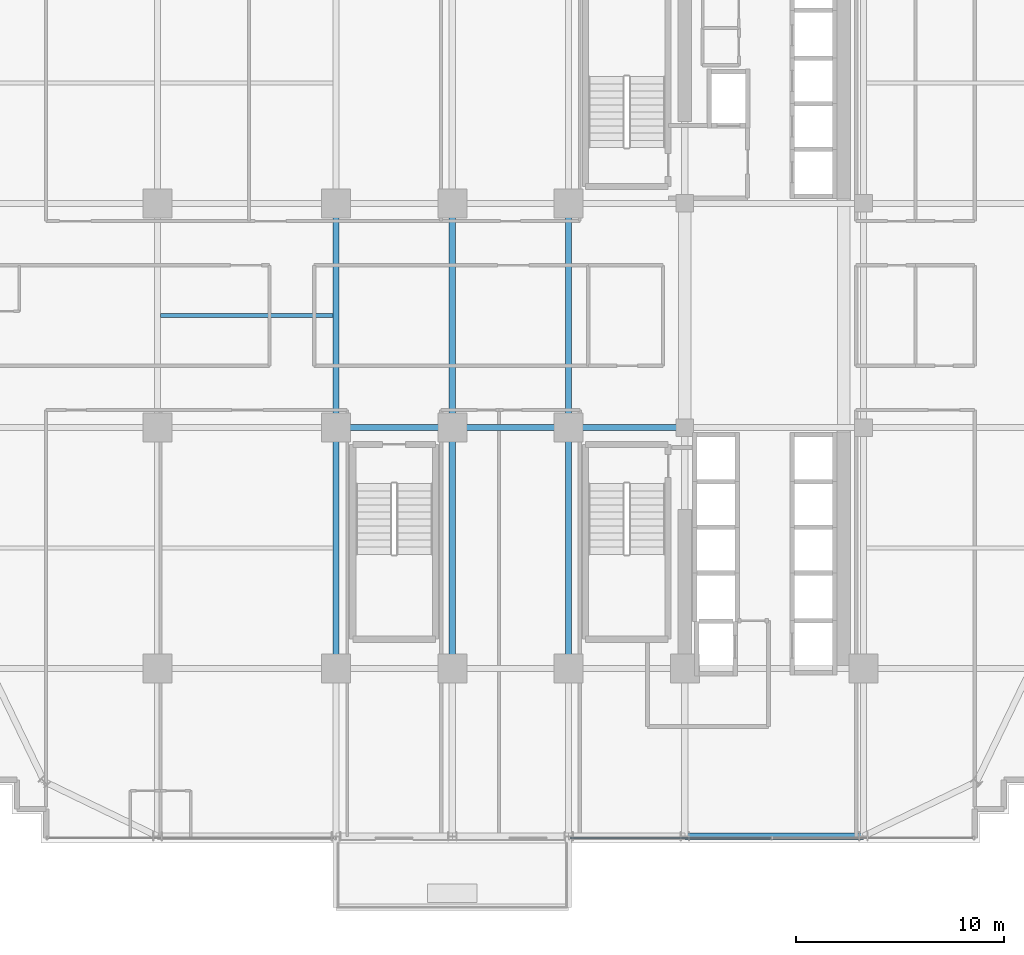
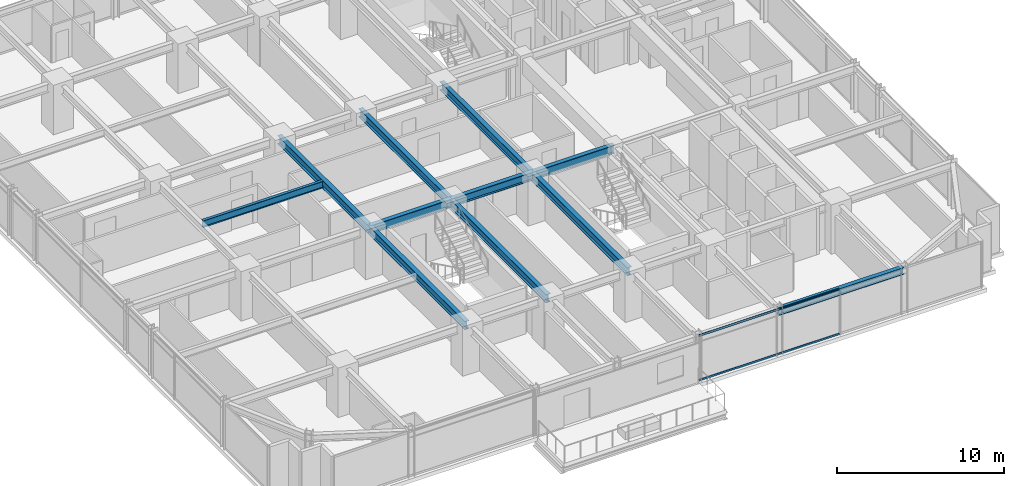
# One storey, part 10 of 36: 11 beams, 2 members, 1 element without a shape of its own.
"""IFC4 building model written with IfcOpenShell, lengths in metres."""

from ifc_helpers import new_model, si_unit, direction, frame, origin, origin_2d, place, context, subcontext, project, spatial, hollow_rectangle, i_section, extrude, source, transform, mapped, material, material_profile, profile_set, type_object, element, aggregate, save


model = new_model("IFC4")

# Units and contexts
model_context = context("Model", 3, precision=1e-05, world=origin(), true_north=direction((0.0, 1.0)))
body_context = subcontext(model_context, "Body", "Model", "MODEL_VIEW")
ifc_project = project(units=[si_unit("LENGTHUNIT", "METRE"), si_unit("AREAUNIT", "SQUARE_METRE"), si_unit("VOLUMEUNIT", "CUBIC_METRE"), si_unit("PLANEANGLEUNIT", "RADIAN"), si_unit("MASSUNIT", "GRAM", prefix="KILO")], contexts=[model_context])

# Site, building, storey
site_placement = place(None, origin())
site = spatial("IfcSite", under=ifc_project, at=site_placement, CompositionType="ELEMENT")
building_placement = place(site_placement, origin())
building = spatial("IfcBuilding", under=site, at=building_placement, Name="Nahalor Promenade Grand Hotel", CompositionType="ELEMENT")
storey_placement = place(building_placement, frame((0.0, 0.0, 72.550048828125)))
storey = spatial("IfcBuildingStorey", under=building, at=storey_placement, Name="L17", CompositionType="ELEMENT", Elevation=72.550048828125)

# Beams
ifc_material_1 = material(Name="Steel S355JR", Category="steel")
ifc_material_profile_1 = material_profile(ifc_material_1, i_section(OverallWidth=0.3, OverallDepth=0.6, WebThickness=0.0155, FlangeThickness=0.03, at=origin_2d()), Name="HEB 600")
ifc_profile_set_1 = profile_set([ifc_material_profile_1], Name="Steel S355JR")
beam_type_1 = type_object("IfcBeamType", Name="Beam-Girder-HEB600", PredefinedType="BEAM", material=ifc_profile_set_1)
shared_shape_1 = source(origin(), body_context, "Body", "SweptSolid", [
    extrude(i_section(OverallWidth=0.3, OverallDepth=0.6, WebThickness=0.0155, FlangeThickness=0.03, at=origin_2d()), origin(), (0.0, 0.0, 1.0), 5.599853515625),
])
for number, where, z_axis, x_axis, name in (
    (1, (-8.39990234375, -5.39990234375, 3.070068359375), (1.0, 0.0, 0.0), (0.0, 1.0, 0.0), "BM-L17-GX-1-2"),
    (2, (2.800048828125, -5.39990234375, 3.070068359375), (1.0, 0.0, 0.0), (0.0, 1.0, 0.0), "BM-L17-GX-1-4"),
):
    element("IfcBeam", number, at=place(storey_placement, frame(where, z_axis=z_axis, x_axis=x_axis)), inside=storey, type_object=beam_type_1, Name=name, PredefinedType="BEAM", context=body_context, shape_type="MappedRepresentation", body=[
        mapped(shared_shape_1, transform((0.0, 0.0, 0.0), scale=1.0)),
    ])
shared_shape_2 = source(origin(), body_context, "Body", "SweptSolid", [
    extrude(i_section(OverallWidth=0.3, OverallDepth=0.6, WebThickness=0.0155, FlangeThickness=0.03, at=origin_2d()), origin(), (0.0, 0.0, 1.0), 5.60009765625),
])
beam_1_placement = place(storey_placement, frame((-2.800048828125, -5.39990234375, 3.070068359375), z_axis=(1.0, 0.0, 0.0), x_axis=(0.0, 1.0, 0.0)))
element("IfcBeam", 3, at=beam_1_placement, inside=storey, type_object=beam_type_1, Name="BM-L17-GX-1-3", PredefinedType="BEAM", context=body_context, shape_type="MappedRepresentation", body=[
    mapped(shared_shape_2, transform((0.0, 0.0, 0.0), scale=1.0)),
])
shared_shape_3 = source(origin(), body_context, "Body", "SweptSolid", [
    extrude(i_section(OverallWidth=0.3, OverallDepth=0.6, WebThickness=0.0155, FlangeThickness=0.03, at=origin_2d()), origin(), (0.0, 0.0, 1.0), 11.60009765625),
])
for number, where, z_axis, x_axis, name in (
    (4, (-8.39990234375, -17.0, 3.070068359375), (0.0, 1.0, 0.0), (-1.0, 0.0, 0.0), "BM-L17-GY-1-1"),
    (5, (-2.800048828125, -17.0, 3.070068359375), (0.0, 1.0, 0.0), (-1.0, 0.0, 0.0), "BM-L17-GY-2-1"),
    (6, (2.800048828125, -17.0, 3.070068359375), (0.0, 1.0, 0.0), (-1.0, 0.0, 0.0), "BM-L17-GY-3-1"),
):
    element("IfcBeam", number, at=place(storey_placement, frame(where, z_axis=z_axis, x_axis=x_axis)), inside=storey, type_object=beam_type_1, Name=name, PredefinedType="BEAM", context=body_context, shape_type="MappedRepresentation", body=[
        mapped(shared_shape_3, transform((0.0, 0.0, 0.0), scale=1.0)),
    ])
shared_shape_4 = source(origin(), body_context, "Body", "SweptSolid", [
    extrude(i_section(OverallWidth=0.3, OverallDepth=0.6, WebThickness=0.0155, FlangeThickness=0.03, at=origin_2d()), origin(), (0.0, 0.0, 1.0), 10.7998046875),
])
for number, where, z_axis, x_axis, name in (
    (7, (-8.39990234375, -5.39990234375, 3.070068359375), (0.0, 1.0, 0.0), (-1.0, 0.0, 0.0), "BM-L17-GY-1-2"),
    (8, (-2.800048828125, -5.39990234375, 3.070068359375), (0.0, 1.0, 0.0), (-1.0, 0.0, 0.0), "BM-L17-GY-2-2"),
    (9, (2.800048828125, -5.39990234375, 3.070068359375), (0.0, 1.0, 0.0), (-1.0, 0.0, 0.0), "BM-L17-GY-3-2"),
):
    element("IfcBeam", number, at=place(storey_placement, frame(where, z_axis=z_axis, x_axis=x_axis)), inside=storey, type_object=beam_type_1, Name=name, PredefinedType="BEAM", context=body_context, shape_type="MappedRepresentation", body=[
        mapped(shared_shape_4, transform((0.0, 0.0, 0.0), scale=1.0)),
    ])
ifc_material_profile_2 = material_profile(ifc_material_1, i_section(OverallWidth=0.3, OverallDepth=0.5, WebThickness=0.0145, FlangeThickness=0.028, at=origin_2d()), Name="HEB 500")
ifc_profile_set_2 = profile_set([ifc_material_profile_2], Name="Steel S355JR")
beam_type_2 = type_object("IfcBeamType", Name="Beam-Spandrel-HEB500", PredefinedType="SPANDREL", material=ifc_profile_set_2)
shared_shape_5 = source(origin(), body_context, "Body", "SweptSolid", [
    extrude(i_section(OverallWidth=0.3, OverallDepth=0.5, WebThickness=0.0145, FlangeThickness=0.028, at=origin_2d()), origin(), (0.0, 0.0, 1.0), 8.60009765625),
])
beam_2_placement = place(storey_placement, frame((8.39990234375, -25.080078125, 3.119873046875), z_axis=(1.0, 0.0, 0.0), x_axis=(0.0, 1.0, 0.0)))
element("IfcBeam", 10, at=beam_2_placement, inside=storey, type_object=beam_type_2, Name="BM-L17-SP-S-4", PredefinedType="SPANDREL", context=body_context, shape_type="MappedRepresentation", body=[
    mapped(shared_shape_5, transform((0.0, 0.0, 0.0), scale=1.0)),
])
ifc_material_profile_3 = material_profile(ifc_material_1, i_section(OverallWidth=0.2, OverallDepth=0.5, WebThickness=0.0102, FlangeThickness=0.016, at=origin_2d()), Name="IPE 500")
ifc_profile_set_3 = profile_set([ifc_material_profile_3], Name="Steel S355JR")
beam_type_3 = type_object("IfcBeamType", Name="Beam-Joist-IPE500", PredefinedType="JOIST", material=ifc_profile_set_3)
shared_shape_6 = source(origin(), body_context, "Body", "SweptSolid", [
    extrude(i_section(OverallWidth=0.2, OverallDepth=0.5, WebThickness=0.0102, FlangeThickness=0.016, at=origin_2d()), origin(), (0.0, 0.0, 1.0), 8.300048828125),
])
beam_3_placement = place(storey_placement, frame((-16.85009765625, 0.0, 3.119873046875), z_axis=(1.0, 0.0, 0.0), x_axis=(0.0, 1.0, 0.0)))
element("IfcBeam", 11, at=beam_3_placement, inside=storey, type_object=beam_type_3, Name="BM-L17-JSC-0", PredefinedType="JOIST", context=body_context, shape_type="MappedRepresentation", body=[
    mapped(shared_shape_6, transform((0.0, 0.0, 0.0), scale=1.0)),
])

# Curtain wall, members
ifc_material_2 = material(Name="Anodised Bronze Aluminium EN AW-6063 T6", Category="aluminium")
curtain_wall_type = type_object("IfcCurtainWallType", Name="CW2 Typical Hotel Flush Bronze Unitised Curtain Wall", PredefinedType="USERDEFINED", material=ifc_material_2)
curtain_wall_placement = place(storey_placement, origin())
curtain_wall = element("IfcCurtainWall", 12, at=curtain_wall_placement, inside=storey, type_object=curtain_wall_type, Name="L17 Curtain Wall CW-L17-S-3", ObjectType="UNITISED_CURTAIN_WALL", PredefinedType="USERDEFINED")
ifc_material_profile_4 = material_profile(ifc_material_2, hollow_rectangle(XDim=0.065, YDim=0.13, WallThickness=0.004, at=origin_2d()), Name="CWT 65x130x4")
ifc_profile_set_4 = profile_set([ifc_material_profile_4], Name="Anodised Bronze Aluminium EN AW-6063 T6")
member_type = type_object("IfcMemberType", Name="CWT2 Typical Bronze Transom 65x130", PredefinedType="USERDEFINED", material=ifc_profile_set_4)
shared_shape_7 = source(origin(), body_context, "Body", "SweptSolid", [
    extrude(hollow_rectangle(XDim=0.065, YDim=0.13, WallThickness=0.004, at=origin_2d()), origin(), (0.0, 0.0, 1.0), 9.6826171875),
])
member_1_placement = place(storey_placement, frame((2.864990234375, -25.159912109375, 0.06494140625), z_axis=(1.0, 0.0, 0.0), x_axis=(0.0, 1.0, 0.0)))
member_1 = element("IfcMember", 13, at=member_1_placement, type_object=member_type, Name="CW-L17-S-3 Transom 0-0", ObjectType="TRANSOM", PredefinedType="USERDEFINED", context=body_context, shape_type="MappedRepresentation", body=[
    mapped(shared_shape_7, transform((0.0, 0.0, 0.0), scale=1.0)),
])
member_2_placement = place(storey_placement, frame((2.864990234375, -25.159912109375, 3.304931640625), z_axis=(1.0, 0.0, 0.0), x_axis=(0.0, 1.0, 0.0)))
member_2 = element("IfcMember", 14, at=member_2_placement, type_object=member_type, Name="CW-L17-S-3 Transom 0-1", ObjectType="TRANSOM", PredefinedType="USERDEFINED", context=body_context, shape_type="MappedRepresentation", body=[
    mapped(shared_shape_7, transform((0.0, 0.0, 0.0), scale=1.0)),
])
aggregate(curtain_wall, [member_1, member_2])

save(model, "model.ifc")
